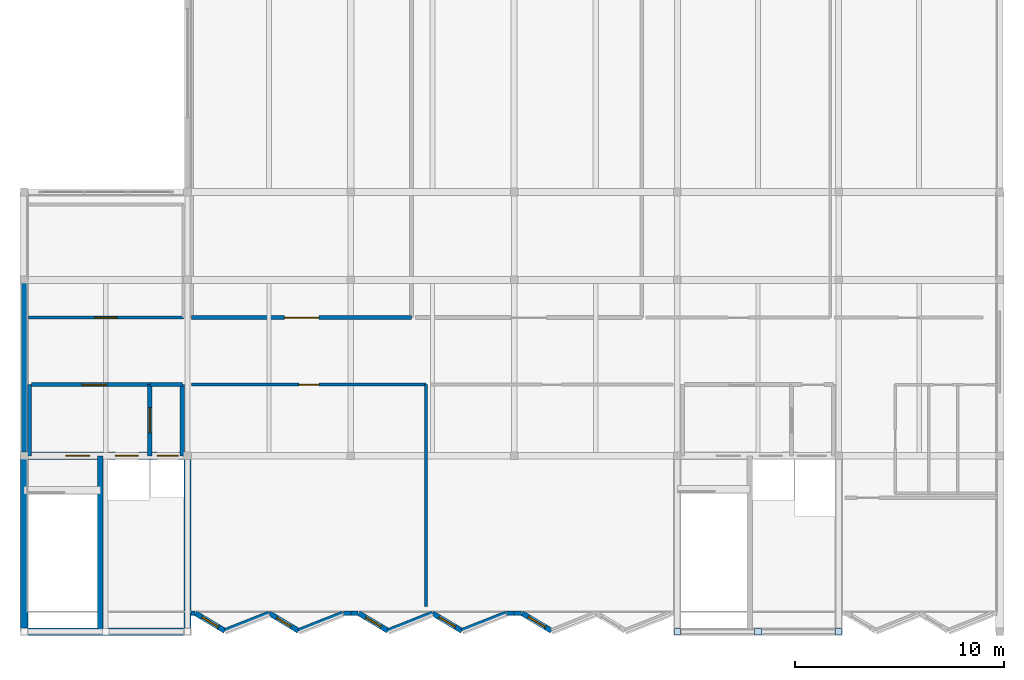
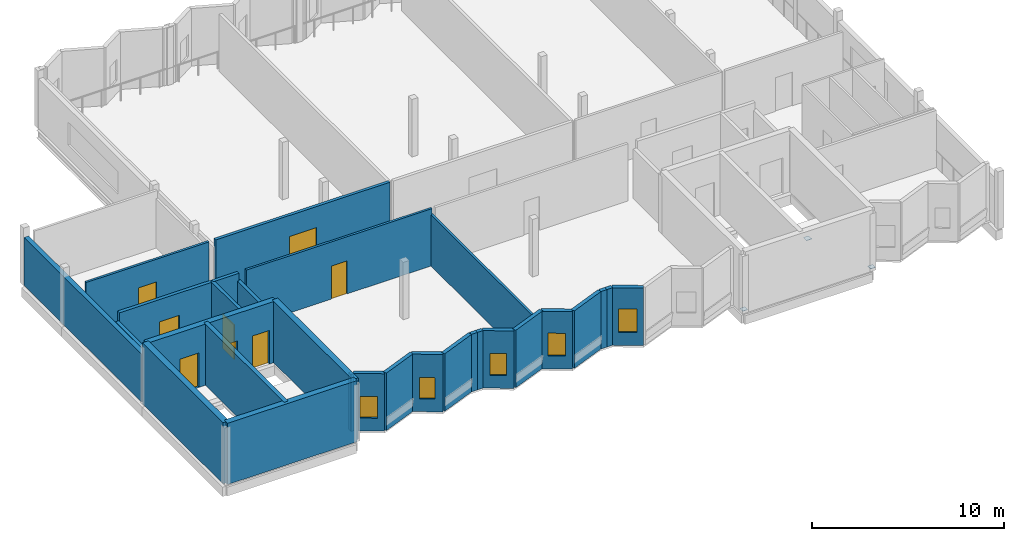
# One storey, part 4 of 8: 29 walls, 8 doors, 5 windows, 3 plates, 13 openings.
"""IFC4 building model written with IfcOpenShell, lengths in metres."""

from ifc_helpers import new_model, si_unit, direction, frame, frame_2d, origin, origin_2d, place, context, subcontext, project, spatial, rectangle, extrude, material, layer, layer_set, type_object, element, fill, save


model = new_model("IFC4")

# Units and contexts
model_context = context("Model", 3, precision=1e-05, world=origin(), true_north=direction((0.0, 1.0)))
body_context = subcontext(model_context, "Body", "Model", "MODEL_VIEW")
ifc_project = project(units=[si_unit("LENGTHUNIT", "METRE"), si_unit("AREAUNIT", "SQUARE_METRE"), si_unit("VOLUMEUNIT", "CUBIC_METRE"), si_unit("PLANEANGLEUNIT", "RADIAN"), si_unit("MASSUNIT", "GRAM", prefix="KILO")], contexts=[model_context])

# Site, building, storey
site_placement = place(None, origin())
site = spatial("IfcSite", under=ifc_project, at=site_placement, CompositionType="ELEMENT")
building_placement = place(site_placement, origin())
building = spatial("IfcBuilding", under=site, at=building_placement, Name="Vharandega Faculty of Natural Sciences", CompositionType="ELEMENT")
storey_placement = place(building_placement, frame((0.0, 0.0, 43.199951171875)))
storey = spatial("IfcBuildingStorey", under=building, at=storey_placement, Name="L11", CompositionType="ELEMENT", Elevation=43.199951171875)

# Plates
ifc_material_1 = material(Name="Steel S355", Category="steel")
ifc_layer_1 = layer(ifc_material_1, 0.02490234375, Name="Steel S355")
ifc_layer_set_1 = layer_set([ifc_layer_1], Name="Steel S355")
plate_type = type_object("IfcPlateType", Name="Hollow Section End Cap Plate 25mm", PredefinedType="USERDEFINED", material=ifc_layer_set_1)
plate_1_placement = place(storey_placement, frame((146.0, 64.0, 0.1376953125), z_axis=(0.0, 0.0, 1.0), x_axis=(1.0, 0.0, 0.0)))
element("IfcPlate", 1, at=plate_1_placement, inside=storey, type_object=plate_type, Name="Node Cap Plate CHV-J2-L11 #116", ObjectType="CAP PLATE", PredefinedType="USERDEFINED", context=body_context, shape_type="SweptSolid", body=[
    extrude(rectangle(XDim=0.300048828125, YDim=0.300048828125, at=origin_2d()), origin(), (0.0, 0.0, 1.0), 0.02490234375),
])
plate_2_placement = place(storey_placement, frame((149.85009765625, 64.0, 3.297607421875), z_axis=(0.0, 0.0, 1.0), x_axis=(1.0, 0.0, 0.0)))
element("IfcPlate", 2, at=plate_2_placement, inside=storey, type_object=plate_type, Name="Node Cap Plate CHV-J2-L11 #117", ObjectType="CAP PLATE", PredefinedType="USERDEFINED", context=body_context, shape_type="SweptSolid", body=[
    extrude(rectangle(XDim=0.320068359375, YDim=0.320068359375, at=origin_2d()), origin(), (0.0, 0.0, 1.0), 0.02490234375),
])
plate_3_placement = place(storey_placement, frame((153.699951171875, 64.0, 0.1376953125), z_axis=(0.0, 0.0, 1.0), x_axis=(1.0, 0.0, 0.0)))
element("IfcPlate", 3, at=plate_3_placement, inside=storey, type_object=plate_type, Name="Node Cap Plate CHV-J2-L11 #118", ObjectType="CAP PLATE", PredefinedType="USERDEFINED", context=body_context, shape_type="SweptSolid", body=[
    extrude(rectangle(XDim=0.300048828125, YDim=0.300048828125, at=origin_2d()), origin(), (0.0, 0.0, 1.0), 0.02490234375),
])

# Wall, opening, door
ifc_material_2 = material(Name="Acoustic masonry blockwork 15 MPa", Category="masonry")
ifc_layer_2 = layer(ifc_material_2, 0.179931640625, Name="Acoustic masonry blockwork 15 MPa")
ifc_layer_set_2 = layer_set([ifc_layer_2], Name="Acoustic masonry blockwork 15 MPa")
wall_type_1 = type_object("IfcWallType", Name="Acoustic Lecture Wall 180", PredefinedType="PARTITIONING", material=ifc_layer_set_2)
wall_1_placement = place(storey_placement, frame((122.800048828125, 79.0, 0.0), z_axis=(0.0, 0.0, 1.0), x_axis=(1.0, 0.0, 0.0)))
wall_1 = element("IfcWall", 4, at=wall_1_placement, inside=storey, type_object=wall_type_1, Name="Interior Wall PW-L11-R08S", PredefinedType="PARTITIONING", context=body_context, shape_type="SweptSolid", body=[
    extrude(rectangle(XDim=10.5, YDim=0.179931640625, at=frame_2d((5.25, 0.0))), origin(), (0.0, 0.0, 1.0), 3.64013671875),
])
opening_1_placement = place(wall_1_placement, frame((4.425048828125, 0.0, 0.0)))
opening_1 = element("IfcOpeningElement", 5, at=opening_1_placement, cuts=wall_1, Name="Opening D0390", PredefinedType="OPENING", context=body_context, shape_type="SweptSolid", body=[
    extrude(rectangle(XDim=1.64990234375, YDim=2.300048828125, at=frame_2d((0.824951171875, 1.14990234375))), frame((0.0, 0.10009765625, 0.0), z_axis=(0.0, -1.0, 0.0), x_axis=(1.0, 0.0, 0.0)), (0.0, 0.0, 1.0), 0.199951171875),
])
ifc_material_3 = material(Name="Solid-core hardwood timber fire door", Category="wood")
door_type_1 = type_object("IfcDoorType", Name="ID11-BOARDROOM-DBL-1650x2300", OperationType="DOUBLE_DOOR_SINGLE_SWING", PredefinedType="DOOR", material=ifc_material_3)
door_1_placement = place(opening_1_placement, origin())
door_1 = element("IfcDoor", 6, at=door_1_placement, inside=storey, type_object=door_type_1, Name="Faculty of Natural Sciences Boardroom Door D0390", OperationType="DOUBLE_DOOR_SINGLE_SWING", OverallHeight=2.300048828125, OverallWidth=1.64990234375, PredefinedType="DOOR", context=body_context, shape_type="SweptSolid", body=[
    extrude(rectangle(XDim=1.64990234375, YDim=2.300048828125, at=frame_2d((0.824951171875, 1.14990234375))), frame((0.0, 0.02490234375, 0.0), z_axis=(0.0, -1.0, 0.0), x_axis=(1.0, 0.0, 0.0)), (0.0, 0.0, 1.0), 0.050048828125),
])
fill(opening_1, door_1)

# Walls
ifc_material_4 = material(Name="Concrete C40/50", Category="concrete")
ifc_layer_3 = layer(ifc_material_4, 0.35009765625, Name="Concrete C40/50")
ifc_layer_set_3 = layer_set([ifc_layer_3], Name="Concrete C40/50")
wall_type_2 = type_object("IfcWallType", Name="Core Shear Wall 350", PredefinedType="SHEAR", material=ifc_layer_set_3)
wall_2_placement = place(storey_placement, frame((114.800048828125, 64.0, 0.0), z_axis=(0.0, 0.0, 1.0), x_axis=(1.0, 0.0, 0.0)))
element("IfcWall", 7, at=wall_2_placement, inside=storey, type_object=wall_type_2, Name="Interior Wall CW-C1-L11-S", PredefinedType="SHEAR", context=body_context, shape_type="SweptSolid", body=[
    extrude(rectangle(XDim=7.800048828125, YDim=0.35009765625, at=frame_2d((3.89990234375, 0.0))), origin(), (0.0, 0.0, 1.0), 3.900146484375),
])
for number, where, z_axis, x_axis, name in (
    (8, (114.800048828125, 64.0, 0.0), (0.0, 0.0, 1.0), (0.0, 1.0, 0.0), "Interior Wall CW-C1-L11-W"),
    (9, (122.60009765625, 64.0, 0.0), (0.0, 0.0, 1.0), (0.0, 1.0, 0.0), "Interior Wall CW-C1-L11-E"),
):
    element("IfcWall", number, at=place(storey_placement, frame(where, z_axis=z_axis, x_axis=x_axis)), inside=storey, type_object=wall_type_2, Name=name, PredefinedType="SHEAR", context=body_context, shape_type="SweptSolid", body=[
        extrude(rectangle(XDim=8.39990234375, YDim=0.35009765625, at=frame_2d((4.199951171875, 0.0))), origin(), (0.0, 0.0, 1.0), 3.900146484375),
    ])

# Wall, openings, doors
wall_3_placement = place(storey_placement, frame((114.800048828125, 72.39990234375, 0.0), z_axis=(0.0, 0.0, 1.0), x_axis=(1.0, 0.0, 0.0)))
wall_3 = element("IfcWall", 10, at=wall_3_placement, inside=storey, type_object=wall_type_2, Name="Interior Wall CW-C1-L11-N", PredefinedType="SHEAR", context=body_context, shape_type="SweptSolid", body=[
    extrude(rectangle(XDim=7.800048828125, YDim=0.35009765625, at=frame_2d((3.89990234375, 0.0))), origin(), (0.0, 0.0, 1.0), 3.900146484375),
])
opening_2_placement = place(wall_3_placement, frame((1.97998046875, 0.0, 0.0)))
opening_2 = element("IfcOpeningElement", 11, at=opening_2_placement, cuts=wall_3, Name="Opening FD1", PredefinedType="OPENING", context=body_context, shape_type="SweptSolid", body=[
    extrude(rectangle(XDim=1.14990234375, YDim=2.199951171875, at=frame_2d((0.574951171875, 1.10009765625))), frame((0.0, 0.18505859375, 0.0), z_axis=(0.0, -1.0, 0.0), x_axis=(1.0, 0.0, 0.0)), (0.0, 0.0, 1.0), 0.3701171875),
])
opening_3_placement = place(wall_3_placement, frame((4.35009765625, 0.0, 0.0)))
opening_3 = element("IfcOpeningElement", 12, at=opening_3_placement, cuts=wall_3, Name="Opening LD-FL1-L11", PredefinedType="OPENING", context=body_context, shape_type="SweptSolid", body=[
    extrude(rectangle(XDim=1.10009765625, YDim=2.14990234375, at=frame_2d((0.550048828125, 1.074951171875))), frame((0.0, 0.18505859375, 0.0), z_axis=(0.0, -1.0, 0.0), x_axis=(1.0, 0.0, 0.0)), (0.0, 0.0, 1.0), 0.3701171875),
])
opening_4_placement = place(wall_3_placement, frame((6.360107421875, 0.0, 0.0)))
opening_4 = element("IfcOpeningElement", 13, at=opening_4_placement, cuts=wall_3, Name="Opening LD-LP1-L11", PredefinedType="OPENING", context=body_context, shape_type="SweptSolid", body=[
    extrude(rectangle(XDim=1.0, YDim=2.14990234375, at=frame_2d((0.5, 1.074951171875))), frame((0.0, 0.18505859375, 0.0), z_axis=(0.0, -1.0, 0.0), x_axis=(1.0, 0.0, 0.0)), (0.0, 0.0, 1.0), 0.3701171875),
])
ifc_material_5 = material(Name="Solid-core hardwood timber fire door", Category="wood")
door_type_2 = type_object("IfcDoorType", Name="FD1-STAIR-1150x2200", OperationType="NOTDEFINED", PredefinedType="DOOR", material=ifc_material_5)
door_2_placement = place(opening_2_placement, origin())
door_2 = element("IfcDoor", 14, at=door_2_placement, inside=storey, type_object=door_type_2, Name="Stair ST1 Fire Door FD1", OperationType="SINGLE_SWING_LEFT", OverallHeight=2.199951171875, OverallWidth=1.14990234375, PredefinedType="DOOR", context=body_context, shape_type="SweptSolid", body=[
    extrude(rectangle(XDim=1.14990234375, YDim=2.199951171875, at=frame_2d((0.574951171875, 1.10009765625))), frame((0.0, 0.02490234375, 0.0), z_axis=(0.0, -1.0, 0.0), x_axis=(1.0, 0.0, 0.0)), (0.0, 0.0, 1.0), 0.050048828125),
])
fill(opening_2, door_2)
ifc_material_6 = material(Name="Brushed stainless steel sliding landing door", Category="steel")
door_type_3 = type_object("IfcDoorType", Name="LD1-FFLIFT-SLIDING-1100x2150", OperationType="DOUBLE_DOOR_SLIDING", PredefinedType="DOOR", material=ifc_material_6)
door_3_placement = place(opening_3_placement, origin())
door_3 = element("IfcDoor", 15, at=door_3_placement, inside=storey, type_object=door_type_3, Name="Lift Landing Door LD-FL1-L11", OperationType="DOUBLE_DOOR_SLIDING", OverallHeight=2.14990234375, OverallWidth=1.10009765625, PredefinedType="DOOR", context=body_context, shape_type="SweptSolid", body=[
    extrude(rectangle(XDim=1.10009765625, YDim=2.14990234375, at=frame_2d((0.550048828125, 1.074951171875))), frame((0.0, 0.02490234375, 0.0), z_axis=(0.0, -1.0, 0.0), x_axis=(1.0, 0.0, 0.0)), (0.0, 0.0, 1.0), 0.050048828125),
])
fill(opening_3, door_3)
ifc_material_7 = material(Name="Brushed stainless steel sliding landing door", Category="steel")
door_type_4 = type_object("IfcDoorType", Name="LD2-PAXLIFT-SLIDING-1000x2150", OperationType="DOUBLE_DOOR_SLIDING", PredefinedType="DOOR", material=ifc_material_7)
door_4_placement = place(opening_4_placement, origin())
door_4 = element("IfcDoor", 16, at=door_4_placement, inside=storey, type_object=door_type_4, Name="Lift Landing Door LD-LP1-L11", OperationType="DOUBLE_DOOR_SLIDING", OverallHeight=2.14990234375, OverallWidth=1.0, PredefinedType="DOOR", context=body_context, shape_type="SweptSolid", body=[
    extrude(rectangle(XDim=1.0, YDim=2.14990234375, at=frame_2d((0.5, 1.074951171875))), frame((0.0, 0.02490234375, 0.0), z_axis=(0.0, -1.0, 0.0), x_axis=(1.0, 0.0, 0.0)), (0.0, 0.0, 1.0), 0.050048828125),
])
fill(opening_4, door_4)

# Wall, opening, door
ifc_material_8 = material(Name="Concrete C40/50", Category="concrete")
ifc_layer_4 = layer(ifc_material_8, 0.199951171875, Name="Concrete C40/50")
ifc_layer_set_4 = layer_set([ifc_layer_4], Name="Concrete C40/50")
wall_type_3 = type_object("IfcWallType", Name="Firefighting Lobby Wall 200", PredefinedType="PARTITIONING", material=ifc_layer_set_4)
wall_4_placement = place(storey_placement, frame((115.14990234375, 75.800048828125, 0.0), z_axis=(0.0, 0.0, 1.0), x_axis=(1.0, 0.0, 0.0)))
wall_4 = element("IfcWall", 17, at=wall_4_placement, inside=storey, type_object=wall_type_3, Name="Interior Wall PW-FFL-C1-L11-N", PredefinedType="PARTITIONING", context=body_context, shape_type="SweptSolid", body=[
    extrude(rectangle(XDim=5.650146484375, YDim=0.199951171875, at=frame_2d((2.8251953125, 0.0))), origin(), (0.0, 0.0, 1.0), 3.6201171875),
])
opening_5_placement = place(wall_4_placement, frame((2.39990234375, 0.0, 0.0)))
opening_5 = element("IfcOpeningElement", 18, at=opening_5_placement, cuts=wall_4, Name="Opening FD2", PredefinedType="OPENING", context=body_context, shape_type="SweptSolid", body=[
    extrude(rectangle(XDim=1.199951171875, YDim=2.199951171875, at=frame_2d((0.60009765625, 1.10009765625))), frame((0.0, 0.10986328125, 0.0), z_axis=(0.0, -1.0, 0.0), x_axis=(1.0, 0.0, 0.0)), (0.0, 0.0, 1.0), 0.219970703125),
])
ifc_material_9 = material(Name="Solid-core hardwood timber fire door", Category="wood")
door_type_5 = type_object("IfcDoorType", Name="FD2-FFLOBBY-1200x2200", OperationType="NOTDEFINED", PredefinedType="DOOR", material=ifc_material_9)
door_5_placement = place(opening_5_placement, origin())
door_5 = element("IfcDoor", 19, at=door_5_placement, inside=storey, type_object=door_type_5, Name="Firefighting Lobby C1 Door FD2", OperationType="SINGLE_SWING_LEFT", OverallHeight=2.199951171875, OverallWidth=1.199951171875, PredefinedType="DOOR", context=body_context, shape_type="SweptSolid", body=[
    extrude(rectangle(XDim=1.199951171875, YDim=2.199951171875, at=frame_2d((0.60009765625, 1.10009765625))), frame((0.0, 0.02490234375, 0.0), z_axis=(0.0, -1.0, 0.0), x_axis=(1.0, 0.0, 0.0)), (0.0, 0.0, 1.0), 0.050048828125),
])
fill(opening_5, door_5)

# Wall
wall_5_placement = place(storey_placement, frame((115.050048828125, 72.39990234375, 0.0), z_axis=(0.0, 0.0, 1.0), x_axis=(0.0, 1.0, 0.0)))
element("IfcWall", 20, at=wall_5_placement, inside=storey, type_object=wall_type_3, Name="Interior Wall PW-FFL-C1-L11-W", PredefinedType="PARTITIONING", context=body_context, shape_type="SweptSolid", body=[
    extrude(rectangle(XDim=3.400146484375, YDim=0.199951171875, at=frame_2d((1.7001953125, 0.0))), origin(), (0.0, 0.0, 1.0), 3.06005859375),
])

# Wall, opening, door
wall_6_placement = place(storey_placement, frame((120.800048828125, 72.39990234375, 0.0), z_axis=(0.0, 0.0, 1.0), x_axis=(0.0, 1.0, 0.0)))
wall_6 = element("IfcWall", 21, at=wall_6_placement, inside=storey, type_object=wall_type_3, Name="Interior Wall PW-FFL-C1-L11-E", PredefinedType="PARTITIONING", context=body_context, shape_type="SweptSolid", body=[
    extrude(rectangle(XDim=3.400146484375, YDim=0.199951171875, at=frame_2d((1.7001953125, 0.0))), origin(), (0.0, 0.0, 1.0), 3.6201171875),
])
opening_6_placement = place(wall_6_placement, frame((1.10009765625, 0.0, 0.0)))
opening_6 = element("IfcOpeningElement", 22, at=opening_6_placement, cuts=wall_6, Name="Opening FD2", PredefinedType="OPENING", context=body_context, shape_type="SweptSolid", body=[
    extrude(rectangle(XDim=1.199951171875, YDim=2.199951171875, at=frame_2d((0.60009765625, 1.10009765625))), frame((0.0, 0.10986328125, 0.0), z_axis=(0.0, -1.0, 0.0), x_axis=(1.0, 0.0, 0.0)), (0.0, 0.0, 1.0), 0.219970703125),
])
door_6_placement = place(opening_6_placement, origin())
door_6 = element("IfcDoor", 23, at=door_6_placement, inside=storey, type_object=door_type_5, Name="Lobby Interconnect C1 Door FD2", OperationType="SINGLE_SWING_RIGHT", OverallHeight=2.199951171875, OverallWidth=1.199951171875, PredefinedType="DOOR", context=body_context, shape_type="SweptSolid", body=[
    extrude(rectangle(XDim=1.199951171875, YDim=2.199951171875, at=frame_2d((0.60009765625, 1.10009765625))), frame((0.0, 0.02490234375, 0.0), z_axis=(0.0, -1.0, 0.0), x_axis=(1.0, 0.0, 0.0)), (0.0, 0.0, 1.0), 0.050048828125),
])
fill(opening_6, door_6)

# Walls
wall_7_placement = place(storey_placement, frame((120.800048828125, 75.800048828125, 0.0), z_axis=(0.0, 0.0, 1.0), x_axis=(1.0, 0.0, 0.0)))
element("IfcWall", 24, at=wall_7_placement, inside=storey, type_object=wall_type_3, Name="Interior Wall PW-LL-C1-L11-N", PredefinedType="PARTITIONING", context=body_context, shape_type="SweptSolid", body=[
    extrude(rectangle(XDim=1.550048828125, YDim=0.199951171875, at=frame_2d((0.77490234375, 0.0))), origin(), (0.0, 0.0, 1.0), 3.6201171875),
])
wall_8_placement = place(storey_placement, frame((122.35009765625, 72.39990234375, 0.0), z_axis=(0.0, 0.0, 1.0), x_axis=(0.0, 1.0, 0.0)))
element("IfcWall", 25, at=wall_8_placement, inside=storey, type_object=wall_type_3, Name="Interior Wall PW-LL-C1-L11-E", PredefinedType="PARTITIONING", context=body_context, shape_type="SweptSolid", body=[
    extrude(rectangle(XDim=3.400146484375, YDim=0.199951171875, at=frame_2d((1.7001953125, 0.0))), origin(), (0.0, 0.0, 1.0), 3.14013671875),
])
ifc_material_10 = material(Name="Concrete C40/50", Category="concrete")
ifc_layer_5 = layer(ifc_material_10, 0.260009765625, Name="Concrete C40/50")
ifc_layer_set_5 = layer_set([ifc_layer_5], Name="Concrete C40/50")
wall_type_4 = type_object("IfcWallType", Name="Lift Shaft Shear Wall 260", PredefinedType="SHEAR", material=ifc_layer_set_5)
wall_9_placement = place(storey_placement, frame((118.43994140625, 64.0, 0.0), z_axis=(0.0, 0.0, 1.0), x_axis=(0.0, 1.0, 0.0)))
element("IfcWall", 26, at=wall_9_placement, inside=storey, type_object=wall_type_4, Name="Interior Wall CW-C1-L11-DIV", PredefinedType="SHEAR", context=body_context, shape_type="SweptSolid", body=[
    extrude(rectangle(XDim=8.39990234375, YDim=0.260009765625, at=frame_2d((4.199951171875, 0.0))), origin(), (0.0, 0.0, 1.0), 3.900146484375),
])

# Wall, opening, door
ifc_material_11 = material(Name="Gypsum acoustic partition", Category="gypsum")
ifc_layer_6 = layer(ifc_material_11, 0.139892578125, Name="Gypsum acoustic partition")
ifc_layer_set_6 = layer_set([ifc_layer_6], Name="Gypsum acoustic partition")
wall_type_5 = type_object("IfcWallType", Name="Room Partition Wall 140", PredefinedType="PARTITIONING", material=ifc_layer_set_6)
wall_10_placement = place(storey_placement, frame((115.0, 79.0, 0.0), z_axis=(0.0, 0.0, 1.0), x_axis=(1.0, 0.0, 0.0)))
wall_10 = element("IfcWall", 27, at=wall_10_placement, inside=storey, type_object=wall_type_5, Name="Interior Wall PW-L11-R01S", PredefinedType="PARTITIONING", context=body_context, shape_type="SweptSolid", body=[
    extrude(rectangle(XDim=7.39990234375, YDim=0.139892578125, at=frame_2d((3.699951171875, 0.0))), origin(), (0.0, 0.0, 1.0), 3.64013671875),
])
opening_7_placement = place(wall_10_placement, frame((3.159912109375, 0.0, 0.0)))
opening_7 = element("IfcOpeningElement", 28, at=opening_7_placement, cuts=wall_10, Name="Opening D0383", PredefinedType="OPENING", context=body_context, shape_type="SweptSolid", body=[
    extrude(rectangle(XDim=1.080078125, YDim=2.199951171875, at=frame_2d((0.5400390625, 1.10009765625))), frame((0.0, 0.080078125, 0.0), z_axis=(0.0, -1.0, 0.0), x_axis=(1.0, 0.0, 0.0)), (0.0, 0.0, 1.0), 0.159912109375),
])
ifc_material_12 = material(Name="Solid-core hardwood timber fire door", Category="wood")
door_type_6 = type_object("IfcDoorType", Name="ID03-SEMINAR-1080x2200", OperationType="NOTDEFINED", PredefinedType="DOOR", material=ifc_material_12)
door_7_placement = place(opening_7_placement, origin())
door_7 = element("IfcDoor", 29, at=door_7_placement, inside=storey, type_object=door_type_6, Name="Faculty Archive and Committee Ante-Room Door D0383", OperationType="SINGLE_SWING_RIGHT", OverallHeight=2.199951171875, OverallWidth=1.080078125, PredefinedType="DOOR", context=body_context, shape_type="SweptSolid", body=[
    extrude(rectangle(XDim=1.080078125, YDim=2.199951171875, at=frame_2d((0.5400390625, 1.10009765625))), frame((0.0, 0.02490234375, 0.0), z_axis=(0.0, -1.0, 0.0), x_axis=(1.0, 0.0, 0.0)), (0.0, 0.0, 1.0), 0.050048828125),
])
fill(opening_7, door_7)

wall_11_placement = place(storey_placement, frame((122.800048828125, 75.800048828125, 0.0), z_axis=(0.0, 0.0, 1.0), x_axis=(1.0, 0.0, 0.0)))
wall_11 = element("IfcWall", 30, at=wall_11_placement, inside=storey, type_object=wall_type_5, Name="Interior Wall PW-L11-R02N", PredefinedType="PARTITIONING", context=body_context, shape_type="SweptSolid", body=[
    extrude(rectangle(XDim=11.199951171875, YDim=0.139892578125, at=frame_2d((5.60009765625, 0.0))), origin(), (0.0, 0.0, 1.0), 3.64013671875),
])
opening_8_placement = place(wall_11_placement, frame((5.125, 0.0, 0.0)))
opening_8 = element("IfcOpeningElement", 31, at=opening_8_placement, cuts=wall_11, Name="Opening D0384", PredefinedType="OPENING", context=body_context, shape_type="SweptSolid", body=[
    extrude(rectangle(XDim=0.949951171875, YDim=2.10009765625, at=frame_2d((0.47509765625, 1.050048828125))), frame((0.0, 0.080078125, 0.0), z_axis=(0.0, -1.0, 0.0), x_axis=(1.0, 0.0, 0.0)), (0.0, 0.0, 1.0), 0.159912109375),
])
ifc_material_13 = material(Name="Solid-core hardwood timber fire door", Category="wood")
door_type_7 = type_object("IfcDoorType", Name="ID04-OFFICE-0950x2100", OperationType="NOTDEFINED", PredefinedType="DOOR", material=ifc_material_13)
door_8_placement = place(opening_8_placement, origin())
door_8 = element("IfcDoor", 32, at=door_8_placement, inside=storey, type_object=door_type_7, Name="Faculty Administration Office Suite Door D0384", OperationType="SINGLE_SWING_LEFT", OverallHeight=2.10009765625, OverallWidth=0.949951171875, PredefinedType="DOOR", context=body_context, shape_type="SweptSolid", body=[
    extrude(rectangle(XDim=0.949951171875, YDim=2.10009765625, at=frame_2d((0.47509765625, 1.050048828125))), frame((0.0, 0.02490234375, 0.0), z_axis=(0.0, -1.0, 0.0), x_axis=(1.0, 0.0, 0.0)), (0.0, 0.0, 1.0), 0.050048828125),
])
fill(opening_8, door_8)

# Wall
wall_12_placement = place(storey_placement, frame((134.0, 65.199951171875, 0.0), z_axis=(0.0, 0.0, 1.0), x_axis=(0.0, 1.0, 0.0)))
element("IfcWall", 33, at=wall_12_placement, inside=storey, type_object=wall_type_5, Name="Interior Wall PW-L11-R02E", PredefinedType="PARTITIONING", context=body_context, shape_type="SweptSolid", body=[
    extrude(rectangle(XDim=10.60009765625, YDim=0.139892578125, at=frame_2d((5.300048828125, 0.0))), origin(), (0.0, 0.0, 1.0), 3.260009765625),
])

# Wall, opening, window
ifc_material_14 = material(Name="Precast concrete C40/50", Category="concrete")
ifc_layer_7 = layer(ifc_material_14, 0.25, Name="Precast concrete C40/50")
ifc_layer_set_7 = layer_set([ifc_layer_7], Name="Precast concrete C40/50")
wall_type_6 = type_object("IfcWallType", Name="Sawtooth Glazed-Face Precast Wall 250", PredefinedType="SOLIDWALL", material=ifc_layer_set_7)
wall_13_placement = place(storey_placement, frame((124.387939453125, 64.0400390625, 0.0), z_axis=(0.0, 0.0, 1.0), x_axis=(-0.858817206091, 0.512282155185, 0.0)))
wall_13 = element("IfcWall", 34, at=wall_13_placement, inside=storey, type_object=wall_type_6, Name="Exterior Wall EW-SAW-L11-S01G", PredefinedType="SOLIDWALL", context=body_context, shape_type="SweptSolid", body=[
    extrude(rectangle(XDim=1.639404296875, YDim=0.25, at=frame_2d((0.81982421875, 0.0))), origin(), (0.0, 0.0, 1.0), 3.66015625),
])
opening_9_placement = place(wall_13_placement, frame((0.35986328125, 0.0, 0.820068359375)))
opening_9 = element("IfcOpeningElement", 35, at=opening_9_placement, cuts=wall_13, Name="Opening WN-06B", PredefinedType="OPENING", context=body_context, shape_type="SweptSolid", body=[
    extrude(rectangle(XDim=0.919921875, YDim=1.3798828125, at=frame_2d((0.4599609375, 0.68994140625))), frame((0.0, 0.135009765625, 0.0), z_axis=(0.0, -1.0, 0.0), x_axis=(1.0, 0.0, 0.0)), (0.0, 0.0, 1.0), 0.27001953125),
])
ifc_material_15 = material(Name="Double-glazed solar-control glass in thermally broken aluminium frame", Category="aluminium")
window_type_1 = type_object("IfcWindowType", Name="WIN-SAW-092x138", PartitioningType="SINGLE_PANEL", PredefinedType="WINDOW", material=ifc_material_15)
window_1_placement = place(opening_9_placement, origin())
window_1 = element("IfcWindow", 36, at=window_1_placement, inside=storey, type_object=window_type_1, Name="Window WIN-L11-0139", OverallHeight=1.3798828125, OverallWidth=0.919921875, PartitioningType="SINGLE_PANEL", PredefinedType="WINDOW", context=body_context, shape_type="SweptSolid", body=[
    extrude(rectangle(XDim=0.919921875, YDim=1.3798828125, at=frame_2d((0.4599609375, 0.68994140625))), frame((0.0, 0.030029296875, 0.0), z_axis=(0.0, -1.0, 0.0), x_axis=(1.0, 0.0, 0.0)), (0.0, 0.0, 1.0), 0.06005859375),
])
fill(opening_9, window_1)

wall_14_placement = place(storey_placement, frame((127.907958984375, 64.0400390625, 0.0), z_axis=(0.0, 0.0, 1.0), x_axis=(-0.858817206091, 0.512282155185, 0.0)))
wall_14 = element("IfcWall", 37, at=wall_14_placement, inside=storey, type_object=wall_type_6, Name="Exterior Wall EW-SAW-L11-S02G", PredefinedType="SOLIDWALL", context=body_context, shape_type="SweptSolid", body=[
    extrude(rectangle(XDim=1.639404296875, YDim=0.25, at=frame_2d((0.81982421875, 0.0))), origin(), (0.0, 0.0, 1.0), 3.66015625),
])
opening_10_placement = place(wall_14_placement, frame((0.419921875, 0.0, 0.820068359375)))
opening_10 = element("IfcOpeningElement", 38, at=opening_10_placement, cuts=wall_14, Name="Opening WN-01", PredefinedType="OPENING", context=body_context, shape_type="SweptSolid", body=[
    extrude(rectangle(XDim=0.800048828125, YDim=1.35009765625, at=frame_2d((0.39990234375, 0.675048828125))), frame((0.0, 0.135009765625, 0.0), z_axis=(0.0, -1.0, 0.0), x_axis=(1.0, 0.0, 0.0)), (0.0, 0.0, 1.0), 0.27001953125),
])
ifc_material_16 = material(Name="Double-glazed solar-control glass in thermally broken aluminium frame", Category="aluminium")
window_type_2 = type_object("IfcWindowType", Name="WIN-SAW-080x135", PartitioningType="SINGLE_PANEL", PredefinedType="WINDOW", material=ifc_material_16)
window_2_placement = place(opening_10_placement, origin())
window_2 = element("IfcWindow", 39, at=window_2_placement, inside=storey, type_object=window_type_2, Name="Window WIN-L11-0140", OverallHeight=1.35009765625, OverallWidth=0.800048828125, PartitioningType="SINGLE_PANEL", PredefinedType="WINDOW", context=body_context, shape_type="SweptSolid", body=[
    extrude(rectangle(XDim=0.800048828125, YDim=1.35009765625, at=frame_2d((0.39990234375, 0.675048828125))), frame((0.0, 0.030029296875, 0.0), z_axis=(0.0, -1.0, 0.0), x_axis=(1.0, 0.0, 0.0)), (0.0, 0.0, 1.0), 0.06005859375),
])
fill(opening_10, window_2)

wall_15_placement = place(storey_placement, frame((132.18798828125, 64.0400390625, 0.0), z_axis=(0.0, 0.0, 1.0), x_axis=(-0.858817206091, 0.512282155185, 0.0)))
wall_15 = element("IfcWall", 40, at=wall_15_placement, inside=storey, type_object=wall_type_6, Name="Exterior Wall EW-SAW-L11-S03G", PredefinedType="SOLIDWALL", context=body_context, shape_type="SweptSolid", body=[
    extrude(rectangle(XDim=1.639404296875, YDim=0.25, at=frame_2d((0.81982421875, 0.0))), origin(), (0.0, 0.0, 1.0), 3.66015625),
])
opening_11_placement = place(wall_15_placement, frame((0.394775390625, 0.0, 0.820068359375)))
opening_11 = element("IfcOpeningElement", 41, at=opening_11_placement, cuts=wall_15, Name="Opening WN-02", PredefinedType="OPENING", context=body_context, shape_type="SweptSolid", body=[
    extrude(rectangle(XDim=0.85009765625, YDim=1.39990234375, at=frame_2d((0.425048828125, 0.699951171875))), frame((0.0, 0.135009765625, 0.0), z_axis=(0.0, -1.0, 0.0), x_axis=(1.0, 0.0, 0.0)), (0.0, 0.0, 1.0), 0.27001953125),
])
ifc_material_17 = material(Name="Double-glazed solar-control glass in thermally broken aluminium frame", Category="aluminium")
window_type_3 = type_object("IfcWindowType", Name="WIN-SAW-085x140", PartitioningType="SINGLE_PANEL", PredefinedType="WINDOW", material=ifc_material_17)
window_3_placement = place(opening_11_placement, origin())
window_3 = element("IfcWindow", 42, at=window_3_placement, inside=storey, type_object=window_type_3, Name="Window WIN-L11-0141", OverallHeight=1.39990234375, OverallWidth=0.85009765625, PartitioningType="SINGLE_PANEL", PredefinedType="WINDOW", context=body_context, shape_type="SweptSolid", body=[
    extrude(rectangle(XDim=0.85009765625, YDim=1.39990234375, at=frame_2d((0.425048828125, 0.699951171875))), frame((0.0, 0.030029296875, 0.0), z_axis=(0.0, -1.0, 0.0), x_axis=(1.0, 0.0, 0.0)), (0.0, 0.0, 1.0), 0.06005859375),
])
fill(opening_11, window_3)

wall_16_placement = place(storey_placement, frame((135.7080078125, 64.0400390625, 0.0), z_axis=(0.0, 0.0, 1.0), x_axis=(-0.858817206091, 0.512282155185, 0.0)))
wall_16 = element("IfcWall", 43, at=wall_16_placement, inside=storey, type_object=wall_type_6, Name="Exterior Wall EW-SAW-L11-S04G", PredefinedType="SOLIDWALL", context=body_context, shape_type="SweptSolid", body=[
    extrude(rectangle(XDim=1.639404296875, YDim=0.25, at=frame_2d((0.81982421875, 0.0))), origin(), (0.0, 0.0, 1.0), 3.66015625),
])
opening_12_placement = place(wall_16_placement, frame((0.369873046875, 0.0, 0.820068359375)))
opening_12 = element("IfcOpeningElement", 44, at=opening_12_placement, cuts=wall_16, Name="Opening WN-03", PredefinedType="OPENING", context=body_context, shape_type="SweptSolid", body=[
    extrude(rectangle(XDim=0.89990234375, YDim=1.449951171875, at=frame_2d((0.449951171875, 0.72509765625))), frame((0.0, 0.135009765625, 0.0), z_axis=(0.0, -1.0, 0.0), x_axis=(1.0, 0.0, 0.0)), (0.0, 0.0, 1.0), 0.27001953125),
])
ifc_material_18 = material(Name="Double-glazed solar-control glass in thermally broken aluminium frame", Category="aluminium")
window_type_4 = type_object("IfcWindowType", Name="WIN-SAW-090x145", PartitioningType="SINGLE_PANEL", PredefinedType="WINDOW", material=ifc_material_18)
window_4_placement = place(opening_12_placement, origin())
window_4 = element("IfcWindow", 45, at=window_4_placement, inside=storey, type_object=window_type_4, Name="Window WIN-L11-0142", OverallHeight=1.449951171875, OverallWidth=0.89990234375, PartitioningType="SINGLE_PANEL", PredefinedType="WINDOW", context=body_context, shape_type="SweptSolid", body=[
    extrude(rectangle(XDim=0.89990234375, YDim=1.449951171875, at=frame_2d((0.449951171875, 0.72509765625))), frame((0.0, 0.030029296875, 0.0), z_axis=(0.0, -1.0, 0.0), x_axis=(1.0, 0.0, 0.0)), (0.0, 0.0, 1.0), 0.06005859375),
])
fill(opening_12, window_4)

wall_17_placement = place(storey_placement, frame((139.988037109375, 64.0400390625, 0.0), z_axis=(0.0, 0.0, 1.0), x_axis=(-0.858817206091, 0.512282155185, 0.0)))
wall_17 = element("IfcWall", 46, at=wall_17_placement, inside=storey, type_object=wall_type_6, Name="Exterior Wall EW-SAW-L11-S05G", PredefinedType="SOLIDWALL", context=body_context, shape_type="SweptSolid", body=[
    extrude(rectangle(XDim=1.639404296875, YDim=0.25, at=frame_2d((0.81982421875, 0.0))), origin(), (0.0, 0.0, 1.0), 3.66015625),
])
opening_13_placement = place(wall_17_placement, frame((0.3447265625, 0.0, 0.820068359375)))
opening_13 = element("IfcOpeningElement", 47, at=opening_13_placement, cuts=wall_17, Name="Opening WN-04", PredefinedType="OPENING", context=body_context, shape_type="SweptSolid", body=[
    extrude(rectangle(XDim=0.949951171875, YDim=1.5, at=frame_2d((0.47509765625, 0.75))), frame((0.0, 0.135009765625, 0.0), z_axis=(0.0, -1.0, 0.0), x_axis=(1.0, 0.0, 0.0)), (0.0, 0.0, 1.0), 0.27001953125),
])
ifc_material_19 = material(Name="Double-glazed solar-control glass in thermally broken aluminium frame", Category="aluminium")
window_type_5 = type_object("IfcWindowType", Name="WIN-SAW-095x150", PartitioningType="SINGLE_PANEL", PredefinedType="WINDOW", material=ifc_material_19)
window_5_placement = place(opening_13_placement, origin())
window_5 = element("IfcWindow", 48, at=window_5_placement, inside=storey, type_object=window_type_5, Name="Window WIN-L11-0143", OverallHeight=1.5, OverallWidth=0.949951171875, PartitioningType="SINGLE_PANEL", PredefinedType="WINDOW", context=body_context, shape_type="SweptSolid", body=[
    extrude(rectangle(XDim=0.949951171875, YDim=1.5, at=frame_2d((0.47509765625, 0.75))), frame((0.0, 0.030029296875, 0.0), z_axis=(0.0, -1.0, 0.0), x_axis=(1.0, 0.0, 0.0)), (0.0, 0.0, 1.0), 0.06005859375),
])
fill(opening_13, window_5)

# Walls
ifc_material_20 = material(Name="Precast concrete C40/50", Category="concrete")
ifc_layer_8 = layer(ifc_material_20, 0.22998046875, Name="Precast concrete C40/50")
ifc_layer_set_8 = layer_set([ifc_layer_8], Name="Precast concrete C40/50")
wall_type_7 = type_object("IfcWallType", Name="Sawtooth Solid White Precast Wall 230", PredefinedType="SOLIDWALL", material=ifc_layer_set_8)
wall_18_placement = place(storey_placement, frame((122.949951171875, 64.8798828125, 0.0), z_axis=(0.0, 0.0, 1.0), x_axis=(-1.0, 0.0, 0.0)))
element("IfcWall", 49, at=wall_18_placement, inside=storey, type_object=wall_type_7, Name="Exterior Wall EW-SHL-L11-S1617FL", PredefinedType="SOLIDWALL", context=body_context, shape_type="SweptSolid", body=[
    extrude(rectangle(XDim=0.179931640625, YDim=0.22998046875, at=frame_2d((0.08984375, 0.0))), origin(), (0.0, 0.0, 1.0), 3.66015625),
])
wall_19_placement = place(storey_placement, frame((130.39990234375, 64.8798828125, 0.0), z_axis=(0.0, 0.0, 1.0), x_axis=(-1.0, 0.0, 0.0)))
element("IfcWall", 50, at=wall_19_placement, inside=storey, type_object=wall_type_7, Name="Exterior Wall EW-SHL-L11-S1617FR", PredefinedType="SOLIDWALL", context=body_context, shape_type="SweptSolid", body=[
    extrude(rectangle(XDim=0.35986328125, YDim=0.22998046875, at=frame_2d((0.179931640625, 0.0))), origin(), (0.0, 0.0, 1.0), 3.66015625),
])
wall_20_placement = place(storey_placement, frame((130.75, 64.8798828125, 0.0), z_axis=(0.0, 0.0, 1.0), x_axis=(-1.0, 0.0, 0.0)))
element("IfcWall", 51, at=wall_20_placement, inside=storey, type_object=wall_type_7, Name="Exterior Wall EW-SHL-L11-S1718FL", PredefinedType="SOLIDWALL", context=body_context, shape_type="SweptSolid", body=[
    extrude(rectangle(XDim=0.35009765625, YDim=0.22998046875, at=frame_2d((0.175048828125, 0.0))), origin(), (0.0, 0.0, 1.0), 3.66015625),
])
wall_21_placement = place(storey_placement, frame((138.199951171875, 64.8798828125, 0.0), z_axis=(0.0, 0.0, 1.0), x_axis=(-1.0, 0.0, 0.0)))
element("IfcWall", 52, at=wall_21_placement, inside=storey, type_object=wall_type_7, Name="Exterior Wall EW-SHL-L11-S1718FR", PredefinedType="SOLIDWALL", context=body_context, shape_type="SweptSolid", body=[
    extrude(rectangle(XDim=0.35986328125, YDim=0.22998046875, at=frame_2d((0.179931640625, 0.0))), origin(), (0.0, 0.0, 1.0), 3.66015625),
])
wall_22_placement = place(storey_placement, frame((138.550048828125, 64.8798828125, 0.0), z_axis=(0.0, 0.0, 1.0), x_axis=(-1.0, 0.0, 0.0)))
element("IfcWall", 53, at=wall_22_placement, inside=storey, type_object=wall_type_7, Name="Exterior Wall EW-SHL-L11-S1819FL", PredefinedType="SOLIDWALL", context=body_context, shape_type="SweptSolid", body=[
    extrude(rectangle(XDim=0.35009765625, YDim=0.22998046875, at=frame_2d((0.175048828125, 0.0))), origin(), (0.0, 0.0, 1.0), 3.66015625),
])
for number, where, z_axis, x_axis, name in (
    (54, (126.5, 64.8798828125, 0.0), (0.0, 0.0, 1.0), (-0.929230364612, -0.369500919462, 0.0), "Exterior Wall EW-SAW-L11-S01S"),
    (55, (130.02001953125, 64.8798828125, 0.0), (0.0, 0.0, 1.0), (-0.929230364612, -0.369500919462, 0.0), "Exterior Wall EW-SAW-L11-S02S"),
    (56, (134.300048828125, 64.8798828125, 0.0), (0.0, 0.0, 1.0), (-0.929230364612, -0.369500919462, 0.0), "Exterior Wall EW-SAW-L11-S03S"),
    (57, (137.820068359375, 64.8798828125, 0.0), (0.0, 0.0, 1.0), (-0.929230364612, -0.369500919462, 0.0), "Exterior Wall EW-SAW-L11-S04S"),
):
    element("IfcWall", number, at=place(storey_placement, frame(where, z_axis=z_axis, x_axis=x_axis)), inside=storey, type_object=wall_type_7, Name=name, PredefinedType="SOLIDWALL", context=body_context, shape_type="SweptSolid", body=[
        extrude(rectangle(XDim=2.27294921875, YDim=0.22998046875, at=frame_2d((1.136474609375, 0.0))), origin(), (0.0, 0.0, 1.0), 3.66015625),
    ])
ifc_material_21 = material(Name="Precast concrete C40/50", Category="concrete")
ifc_layer_9 = layer(ifc_material_21, 0.280029296875, Name="Precast concrete C40/50")
ifc_layer_set_9 = layer_set([ifc_layer_9], Name="Precast concrete C40/50")
wall_type_8 = type_object("IfcWallType", Name="White Precast End Wall 280", PredefinedType="SOLIDWALL", material=ifc_layer_set_9)
wall_23_placement = place(storey_placement, frame((114.800048828125, 72.577880859375, 0.0), z_axis=(0.0, 0.0, 1.0), x_axis=(0.0, 1.0, 0.0)))
element("IfcWall", 58, at=wall_23_placement, inside=storey, type_object=wall_type_8, Name="Exterior Wall EW-L11-V4C1W", PredefinedType="SOLIDWALL", context=body_context, shape_type="SweptSolid", body=[
    extrude(rectangle(XDim=12.244140625, YDim=0.280029296875, at=frame_2d((6.1220703125, 0.0))), origin(), (0.0, 0.0, 1.0), 3.06005859375),
])

save(model, "model.ifc")
